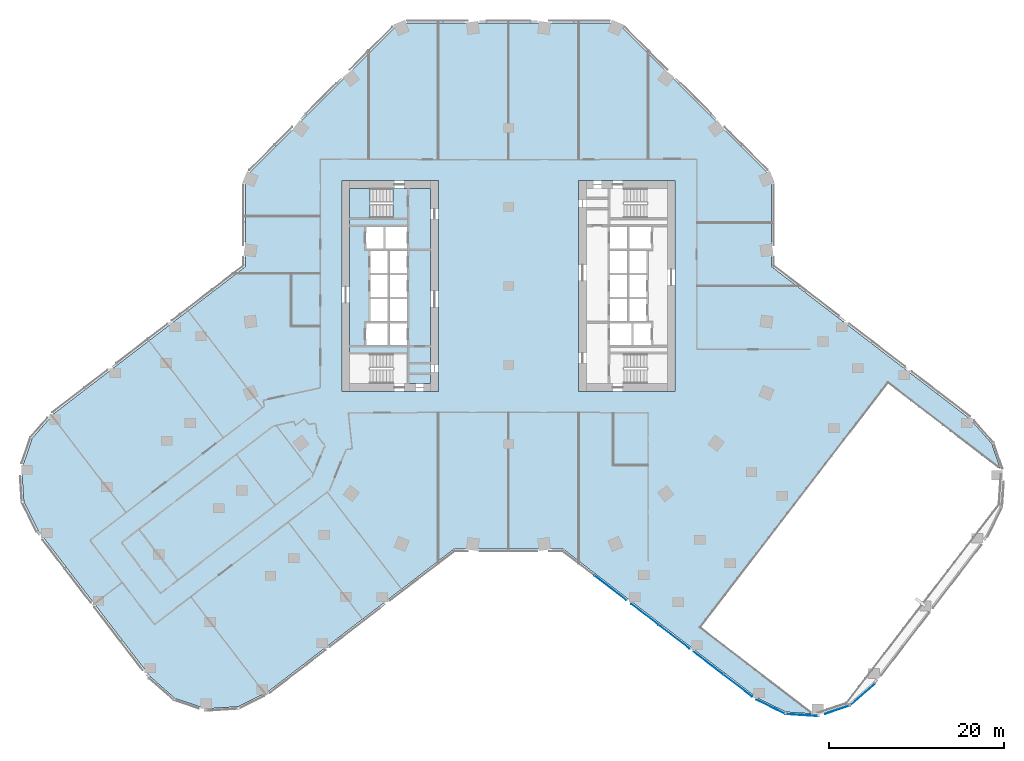
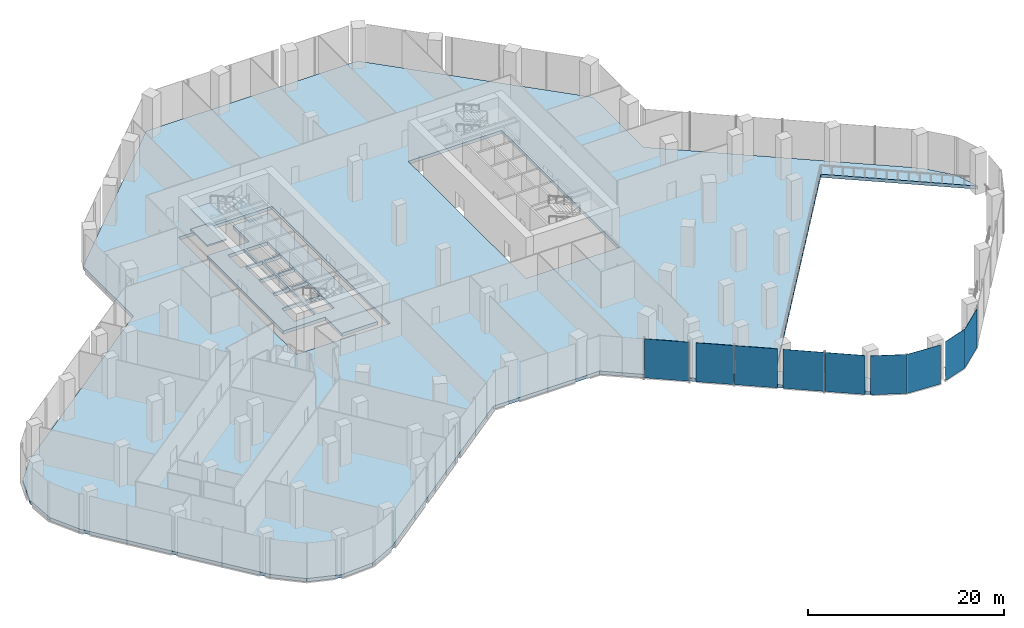
# One storey, part 17 of 29: 9 plates, 5 slabs, 6 elements without a shape of their own.
"""IFC4 building model written with IfcOpenShell, lengths in metres."""

from ifc_helpers import new_model, si_unit, direction, frame, origin, origin_2d, place, context, subcontext, project, spatial, polyline, rectangle, outline, extrude, material, layer, layer_set, type_object, element, aggregate, save


model = new_model("IFC4")

# Units and contexts
model_context = context("Model", 3, precision=1e-05, world=origin(), true_north=direction((0.0, 1.0)))
body_context = subcontext(model_context, "Body", "Model", "MODEL_VIEW")
ifc_project = project(units=[si_unit("LENGTHUNIT", "METRE"), si_unit("AREAUNIT", "SQUARE_METRE"), si_unit("VOLUMEUNIT", "CUBIC_METRE"), si_unit("PLANEANGLEUNIT", "RADIAN"), si_unit("MASSUNIT", "GRAM", prefix="KILO")], contexts=[model_context])

# Site, building, storey
site_placement = place(None, origin())
site = spatial("IfcSite", under=ifc_project, at=site_placement, CompositionType="ELEMENT")
building_placement = place(site_placement, origin())
building = spatial("IfcBuilding", under=site, at=building_placement, Name="Orlundy Tower", CompositionType="ELEMENT")
storey_placement = place(building_placement, frame((0.0, 0.0, 15.5)))
storey = spatial("IfcBuildingStorey", under=building, at=storey_placement, Name="L02", CompositionType="ELEMENT", Elevation=15.5)

# Curtain wall, plates
ifc_material_1 = material(Name="Aluminium bronze anodised", Category="aluminium")
curtain_wall_type = type_object("IfcCurtainWallType", Name="CW2 wall", PredefinedType="NOTDEFINED", material=ifc_material_1)
curtain_wall_1_placement = place(storey_placement, origin())
curtain_wall_1 = element("IfcCurtainWall", 1, at=curtain_wall_1_placement, inside=storey, type_object=curtain_wall_type, Name="CW2 run 00", PredefinedType="NOTDEFINED")
ifc_material_2 = material(Name="Tinted glass", Category="glass")
ifc_layer_1 = layer(ifc_material_2, 0.0380859375)
ifc_layer_set_1 = layer_set([ifc_layer_1], Name="CW2 glass panel 38")
plate_type_1 = type_object("IfcPlateType", Name="CW2 glass panel 38", PredefinedType="CURTAIN_PANEL", material=ifc_layer_set_1)
plate_1_placement = place(storey_placement, frame((26.11962890625, -45.54296875, -0.25), z_axis=(0.0, 0.0, 1.0), x_axis=(-0.793356622022, 0.60875715215, 0.0)))
plate_1 = element("IfcPlate", 2, at=plate_1_placement, type_object=plate_type_1, Name="CW2 panel", PredefinedType="CURTAIN_PANEL", context=body_context, shape_type="SweptSolid", body=[
    extrude(rectangle(XDim=4.10498046875, YDim=0.0380859375, at=origin_2d()), origin(), (0.0, 0.0, 1.0), 4.85009765625),
])
plate_2_placement = place(storey_placement, frame((15.54345703125, -37.427490234375, -0.25), z_axis=(0.0, 0.0, 1.0), x_axis=(-0.793356622022, 0.60875715215, 0.0)))
plate_2 = element("IfcPlate", 3, at=plate_2_placement, type_object=plate_type_1, Name="CW2 panel", PredefinedType="CURTAIN_PANEL", context=body_context, shape_type="SweptSolid", body=[
    extrude(rectangle(XDim=3.934326171875, YDim=0.0380859375, at=origin_2d()), origin(), (0.0, 0.0, 1.0), 4.85009765625),
])
plate_3_placement = place(storey_placement, frame((11.613037109375, -34.411865234375, -0.25), z_axis=(0.0, 0.0, 1.0), x_axis=(-0.793356622022, 0.60875715215, 0.0)))
plate_3 = element("IfcPlate", 4, at=plate_3_placement, type_object=plate_type_1, Name="CW2 panel", PredefinedType="CURTAIN_PANEL", context=body_context, shape_type="SweptSolid", body=[
    extrude(rectangle(XDim=4.580810546875, YDim=0.0380859375, at=origin_2d()), origin(), (0.0, 0.0, 1.0), 4.85009765625),
])

# Curtain wall, plate
curtain_wall_2_placement = place(storey_placement, origin())
curtain_wall_2 = element("IfcCurtainWall", 5, at=curtain_wall_2_placement, inside=storey, type_object=curtain_wall_type, Name="CW2 run 024", PredefinedType="NOTDEFINED")
plate_4_placement = place(storey_placement, frame((40.3466796875, -46.571533203125, -0.25), z_axis=(0.0, 0.0, 1.0), x_axis=(-0.751857647447, -0.65932547196, 0.0)))
plate_4 = element("IfcPlate", 6, at=plate_4_placement, type_object=plate_type_1, Name="CW2 panel", PredefinedType="CURTAIN_PANEL", context=body_context, shape_type="SweptSolid", body=[
    extrude(rectangle(XDim=3.75048828125, YDim=0.0380859375, at=origin_2d()), origin(), (0.0, 0.0, 1.0), 4.85009765625),
])
aggregate(curtain_wall_2, [plate_4])

curtain_wall_3_placement = place(storey_placement, origin())
curtain_wall_3 = element("IfcCurtainWall", 7, at=curtain_wall_3_placement, inside=storey, type_object=curtain_wall_type, Name="CW2 run 025", PredefinedType="NOTDEFINED")
plate_5_placement = place(storey_placement, frame((37.5087890625, -48.29296875, -0.25), z_axis=(0.0, 0.0, 1.0), x_axis=(-0.946887788144, -0.321564171921, 0.0)))
plate_5 = element("IfcPlate", 8, at=plate_5_placement, type_object=plate_type_1, Name="CW2 panel", PredefinedType="CURTAIN_PANEL", context=body_context, shape_type="SweptSolid", body=[
    extrude(rectangle(XDim=3.015869140625, YDim=0.0380859375, at=origin_2d()), origin(), (0.0, 0.0, 1.0), 4.85009765625),
])
aggregate(curtain_wall_3, [plate_5])

curtain_wall_4_placement = place(storey_placement, origin())
curtain_wall_4 = element("IfcCurtainWall", 9, at=curtain_wall_4_placement, inside=storey, type_object=curtain_wall_type, Name="CW2 run 026", PredefinedType="NOTDEFINED")
plate_6_placement = place(storey_placement, frame((33.4443359375, -48.905029296875, -0.25), z_axis=(0.0, 0.0, 1.0), x_axis=(-0.9978491458, 0.065552133657, 0.0)))
plate_6 = element("IfcPlate", 10, at=plate_6_placement, type_object=plate_type_1, Name="CW2 panel", PredefinedType="CURTAIN_PANEL", context=body_context, shape_type="SweptSolid", body=[
    extrude(rectangle(XDim=3.798828125, YDim=0.0380859375, at=origin_2d()), origin(), (0.0, 0.0, 1.0), 4.85009765625),
])
aggregate(curtain_wall_4, [plate_6])

curtain_wall_5_placement = place(storey_placement, origin())
curtain_wall_5 = element("IfcCurtainWall", 11, at=curtain_wall_5_placement, inside=storey, type_object=curtain_wall_type, Name="CW2 run 027", PredefinedType="NOTDEFINED")
plate_7_placement = place(storey_placement, frame((29.892578125, -47.9638671875, -0.25), z_axis=(0.0, 0.0, 1.0), x_axis=(-0.896895794801, 0.442241939743, 0.0)))
plate_7 = element("IfcPlate", 12, at=plate_7_placement, type_object=plate_type_1, Name="CW2 panel", PredefinedType="CURTAIN_PANEL", context=body_context, shape_type="SweptSolid", body=[
    extrude(rectangle(XDim=3.693603515625, YDim=0.0380859375, at=origin_2d()), origin(), (0.0, 0.0, 1.0), 4.85009765625),
])
aggregate(curtain_wall_5, [plate_7])

# Plate
ifc_material_3 = material(Name="Bronze aluminium spandrel", Category="aluminium")
ifc_layer_2 = layer(ifc_material_3, 0.0380859375)
ifc_layer_set_2 = layer_set([ifc_layer_2], Name="CW2 spandrel panel 38")
plate_type_2 = type_object("IfcPlateType", Name="CW2 spandrel panel 38", PredefinedType="CURTAIN_PANEL", material=ifc_layer_set_2)
plate_8_placement = place(storey_placement, frame((22.7744140625, -42.97607421875, -0.25), z_axis=(0.0, 0.0, 1.0), x_axis=(-0.793356622022, 0.60875715215, 0.0)))
plate_8 = element("IfcPlate", 13, at=plate_8_placement, type_object=plate_type_2, Name="CW2 panel", PredefinedType="CURTAIN_PANEL", context=body_context, shape_type="SweptSolid", body=[
    extrude(rectangle(XDim=4.228271484375, YDim=0.0380859375, at=origin_2d()), origin(), (0.0, 0.0, 1.0), 4.85009765625),
])

plate_9_placement = place(storey_placement, frame((18.888916015625, -39.99462890625, -0.25), z_axis=(0.0, 0.0, 1.0), x_axis=(-0.793356622022, 0.60875715215, 0.0)))
plate_9 = element("IfcPlate", 14, at=plate_9_placement, type_object=plate_type_2, Name="CW2 panel", PredefinedType="CURTAIN_PANEL", context=body_context, shape_type="SweptSolid", body=[
    extrude(rectangle(XDim=4.3994140625, YDim=0.0380859375, at=origin_2d()), origin(), (0.0, 0.0, 1.0), 4.85009765625),
])

aggregate(curtain_wall_1, [plate_1, plate_8, plate_9, plate_2, plate_3])

# Slab
ifc_material_4 = material(Name="Concrete C50/60", Category="concrete")
ifc_layer_3 = layer(ifc_material_4, 0.409912109375)
ifc_layer_set_3 = layer_set([ifc_layer_3], Name="Core Floor Slab 410")
slab_type_1 = type_object("IfcSlabType", Name="Core Floor Slab 410", PredefinedType="FLOOR", material=ifc_layer_set_3)
slab_1_placement = place(storey_placement, frame((0.0, 0.0, -0.409912109375)))
element("IfcSlab", 15, at=slab_1_placement, inside=storey, type_object=slab_type_1, Name="Core floor W03", PredefinedType="FLOOR", context=body_context, shape_type="SweptSolid", body=[
    extrude(outline(polyline([(-8.89990234375, -11.10009765625), (-13.14501953125, -11.10009765625), (-13.14501953125, -7.75), (-18.10009765625, -7.75), (-18.10009765625, 7.75), (-13.14501953125, 7.75), (-13.14501953125, 11.10009765625), (-8.89990234375, 11.10009765625), (-8.89990234375, -11.10009765625)]), holes=[polyline([(-11.5400390625, -6.77490234375), (-11.5400390625, -4.22509765625), (-13.5400390625, -4.22509765625), (-13.5400390625, -6.77490234375), (-11.5400390625, -6.77490234375)]), polyline([(-16.239990234375, -6.77490234375), (-13.739990234375, -6.77490234375), (-13.739990234375, -4.22509765625), (-16.239990234375, -4.22509765625), (-16.239990234375, -6.77490234375)]), polyline([(-13.5400390625, -1.47509765625), (-13.5400390625, -4.02490234375), (-11.5400390625, -4.02490234375), (-11.5400390625, -1.47509765625), (-13.5400390625, -1.47509765625)]), polyline([(-13.739990234375, -1.47509765625), (-15.739990234375, -1.47509765625), (-15.739990234375, -4.02490234375), (-13.739990234375, -4.02490234375), (-13.739990234375, -1.47509765625)]), polyline([(-11.5400390625, -1.27490234375), (-11.5400390625, 1.27490234375), (-13.5400390625, 1.27490234375), (-13.5400390625, -1.27490234375), (-11.5400390625, -1.27490234375)]), polyline([(-15.739990234375, -1.27490234375), (-13.739990234375, -1.27490234375), (-13.739990234375, 1.27490234375), (-15.739990234375, 1.27490234375), (-15.739990234375, -1.27490234375)]), polyline([(-13.5400390625, 4.02490234375), (-13.5400390625, 1.47509765625), (-11.5400390625, 1.47509765625), (-11.5400390625, 4.02490234375), (-13.5400390625, 4.02490234375)]), polyline([(-13.739990234375, 4.02490234375), (-15.739990234375, 4.02490234375), (-15.739990234375, 1.47509765625), (-13.739990234375, 1.47509765625), (-13.739990234375, 4.02490234375)]), polyline([(-11.5400390625, 4.22509765625), (-11.5400390625, 6.77490234375), (-14.0400390625, 6.77490234375), (-14.0400390625, 4.22509765625), (-11.5400390625, 4.22509765625)]), polyline([(-16.239990234375, 4.22509765625), (-14.239990234375, 4.22509765625), (-14.239990234375, 6.77490234375), (-16.239990234375, 6.77490234375), (-16.239990234375, 4.22509765625)])]), origin(), (0.0, 0.0, 1.0), 0.409912109375),
])

# Stair, slabs
ifc_material_5 = material(Name="Concrete C50/60", Category="concrete")
stair_type = type_object("IfcStairType", Name="Exit Stair 32 risers", PredefinedType="HALF_TURN_STAIR", material=ifc_material_5)
stair_placement = place(storey_placement, origin())
stair = element("IfcStair", 16, at=stair_placement, inside=storey, type_object=stair_type, Name="L02 Exit Stair ST-W1", PredefinedType="HALF_TURN_STAIR")
ifc_material_6 = material(Name="Concrete C50/60", Category="concrete")
ifc_layer_4 = layer(ifc_material_6, 0.199951171875)
ifc_layer_set_4 = layer_set([ifc_layer_4], Name="Exit Stair Landing")
slab_type_2 = type_object("IfcSlabType", Name="Exit Stair Landing", PredefinedType="LANDING", material=ifc_layer_set_4)
slab_2_placement = place(storey_placement, frame((0.0, 0.0, 1.050048828125)))
slab_2 = element("IfcSlab", 17, at=slab_2_placement, type_object=slab_type_2, Name="ST-W1 landing 1", PredefinedType="LANDING", context=body_context, shape_type="SweptSolid", body=[
    extrude(outline(polyline([(-15.800048828125, 11.10009765625), (-18.10009765625, 11.10009765625), (-18.10009765625, 7.75), (-15.800048828125, 7.75), (-15.800048828125, 11.10009765625)])), origin(), (0.0, 0.0, 1.0), 0.199951171875),
])
slab_3_placement = place(storey_placement, frame((0.0, 0.0, 2.300048828125)))
slab_3 = element("IfcSlab", 18, at=slab_3_placement, type_object=slab_type_2, Name="ST-W1 landing 2", PredefinedType="LANDING", context=body_context, shape_type="SweptSolid", body=[
    extrude(outline(polyline([(-11.5400390625, 11.10009765625), (-13.139892578125, 11.10009765625), (-13.139892578125, 7.75), (-11.5400390625, 7.75), (-11.5400390625, 11.10009765625)])), origin(), (0.0, 0.0, 1.0), 0.199951171875),
])
slab_4_placement = place(storey_placement, frame((0.0, 0.0, 3.550048828125)))
slab_4 = element("IfcSlab", 19, at=slab_4_placement, type_object=slab_type_2, Name="ST-W1 landing 3", PredefinedType="LANDING", context=body_context, shape_type="SweptSolid", body=[
    extrude(outline(polyline([(-15.800048828125, 11.10009765625), (-18.10009765625, 11.10009765625), (-18.10009765625, 7.75), (-15.800048828125, 7.75), (-15.800048828125, 11.10009765625)])), origin(), (0.0, 0.0, 1.0), 0.199951171875),
])
aggregate(stair, [slab_2, slab_3, slab_4])

# Slab
ifc_material_7 = material(Name="Concrete C45/55", Category="concrete")
ifc_layer_5 = layer(ifc_material_7, 0.39990234375)
ifc_layer_set_5 = layer_set([ifc_layer_5], Name="PODIUM FLOOR SLAB THICK 400 C45/55")
slab_type_3 = type_object("IfcSlabType", Name="PODIUM FLOOR SLAB THICK 400 C45/55", PredefinedType="FLOOR", material=ifc_layer_set_5)
slab_5_placement = place(storey_placement, frame((0.0, 0.0, -0.39990234375)))
element("IfcSlab", 20, at=slab_5_placement, inside=storey, type_object=slab_type_3, Name="Floor slab L02", PredefinedType="FLOOR", context=body_context, shape_type="SweptSolid", body=[
    extrude(outline(polyline([(-6.242919921875, -30.0), (-27.491943359375, -46.304931640625), (-30.81689453125, -47.945068359375), (-34.51611328125, -48.18701171875), (-38.02587890625, -46.99609375), (-40.81298828125, -44.552001953125), (-53.596923828125, -27.89111328125), (-55.236083984375, -24.56689453125), (-55.47802734375, -20.867919921875), (-54.287109375, -17.35791015625), (-51.843017578125, -14.571044921875), (-30.0, 2.18994140625), (-30.0, 12.426025390625), (-12.426025390625, 30.0), (12.426025390625, 30.0), (30.0, 12.426025390625), (30.0, 2.18994140625), (52.635986328125, -15.179931640625), (55.080078125, -17.967041015625), (56.050048828125, -20.824951171875), (43.241943359375, -10.99609375), (21.81298828125, -38.922119140625), (34.6220703125, -48.7509765625), (31.610107421875, -48.552978515625), (28.285888671875, -46.9140625), (6.242919921875, -30.0), (-6.242919921875, -30.0)]), holes=[polyline([(-8.0, 12.0), (-19.0, 12.0), (-19.0, -12.0), (-8.0, -12.0), (-8.0, 12.0)]), polyline([(19.0, 12.0), (8.0, 12.0), (8.0, -12.0), (19.0, -12.0), (19.0, 12.0)])]), origin(), (0.0, 0.0, 1.0), 0.39990234375),
])

save(model, "model.ifc")
